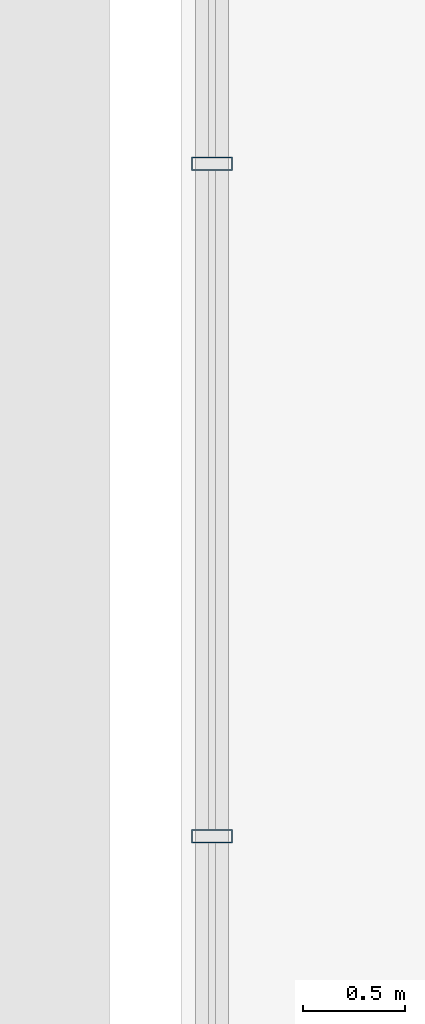
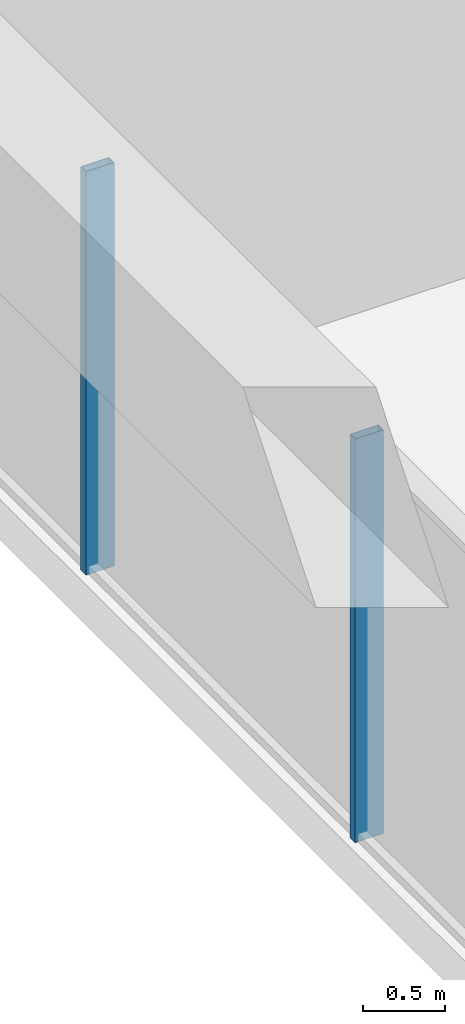
# One storey, part 4 of 22: 2 members, 1 element without a shape of its own.
"""IFC4 building model written with IfcOpenShell, lengths in metres."""

from ifc_helpers import new_model, si_unit, direction, frame, origin, origin_2d, place, context, subcontext, project, spatial, hollow_rectangle, extrude, source, transform, mapped, material, layer, layer_set, material_profile, profile_set, type_object, element, aggregate, save


model = new_model("IFC4")

# Units and contexts
model_context = context("Model", 3, precision=1e-05, world=origin(), true_north=direction((0.0, 1.0)))
body_context = subcontext(model_context, "Body", "Model", "MODEL_VIEW")
ifc_project = project(units=[si_unit("LENGTHUNIT", "METRE"), si_unit("AREAUNIT", "SQUARE_METRE"), si_unit("VOLUMEUNIT", "CUBIC_METRE"), si_unit("PLANEANGLEUNIT", "RADIAN"), si_unit("MASSUNIT", "GRAM", prefix="KILO")], contexts=[model_context])

# Site, building, storey
site_placement = place(None, origin())
site = spatial("IfcSite", under=ifc_project, at=site_placement, CompositionType="ELEMENT")
building_placement = place(site_placement, origin())
building = spatial("IfcBuilding", under=site, at=building_placement, Name="Veraguas Prism Commons", CompositionType="ELEMENT")
storey_placement = place(building_placement, frame((0.0, 0.0, 5.199951171875)))
storey = spatial("IfcBuildingStorey", under=building, at=storey_placement, Name="L01", CompositionType="ELEMENT", Elevation=5.199951171875)

# Curtain wall, members
ifc_material = material(Name="Anodised aluminium EN AW-6063 T6", Category="aluminium")
ifc_layer = layer(ifc_material, 0.199951171875, Name="Metro Concourse Structural Glazing", Category="aluminium")
ifc_layer_set = layer_set([ifc_layer], Name="Anodised aluminium EN AW-6063 T6")
curtain_wall_type = type_object("IfcCurtainWallType", Name="Metro Concourse Structural Glazing", PredefinedType="NOTDEFINED", material=ifc_layer_set)
curtain_wall_placement = place(storey_placement, origin())
curtain_wall = element("IfcCurtainWall", 1, at=curtain_wall_placement, inside=storey, type_object=curtain_wall_type, Name="Via Espana Metro Concourse Curtain Wall L01-W02", PredefinedType="NOTDEFINED")
ifc_material_profile = material_profile(ifc_material, hollow_rectangle(XDim=0.06494140625, YDim=0.199951171875, WallThickness=0.00390625, at=origin_2d()), Name="AL65X200X4")
ifc_profile_set = profile_set([ifc_material_profile], Name="Anodised aluminium EN AW-6063 T6")
member_type = type_object("IfcMemberType", Name="Curtain Wall Mullion Heavy AL 65x200x4", PredefinedType="MULLION", material=ifc_profile_set)
shared_shape = source(origin(), body_context, "Body", "SweptSolid", [
    extrude(hollow_rectangle(XDim=0.06494140625, YDim=0.199951171875, WallThickness=0.00390625, at=origin_2d()), origin(), (0.0, 0.0, 1.0), 3.0),
])
member_1_placement = place(storey_placement, frame((2.14990234375, 22.360107421875, 0.0), z_axis=(0.0, 0.0, 1.0), x_axis=(0.0, -1.0, 0.0)))
member_1 = element("IfcMember", 2, at=member_1_placement, type_object=member_type, Name="CW-STN Mullion 4", PredefinedType="MULLION", context=body_context, shape_type="MappedRepresentation", body=[
    mapped(shared_shape, transform((0.0, 0.0, 0.0), scale=1.0)),
])
member_2_placement = place(storey_placement, frame((2.14990234375, 19.080078125, 0.0), z_axis=(0.0, 0.0, 1.0), x_axis=(0.0, -1.0, 0.0)))
member_2 = element("IfcMember", 3, at=member_2_placement, type_object=member_type, Name="CW-STN Mullion 5", PredefinedType="MULLION", context=body_context, shape_type="MappedRepresentation", body=[
    mapped(shared_shape, transform((0.0, 0.0, 0.0), scale=1.0)),
])
aggregate(curtain_wall, [member_1, member_2])

save(model, "model.ifc")
